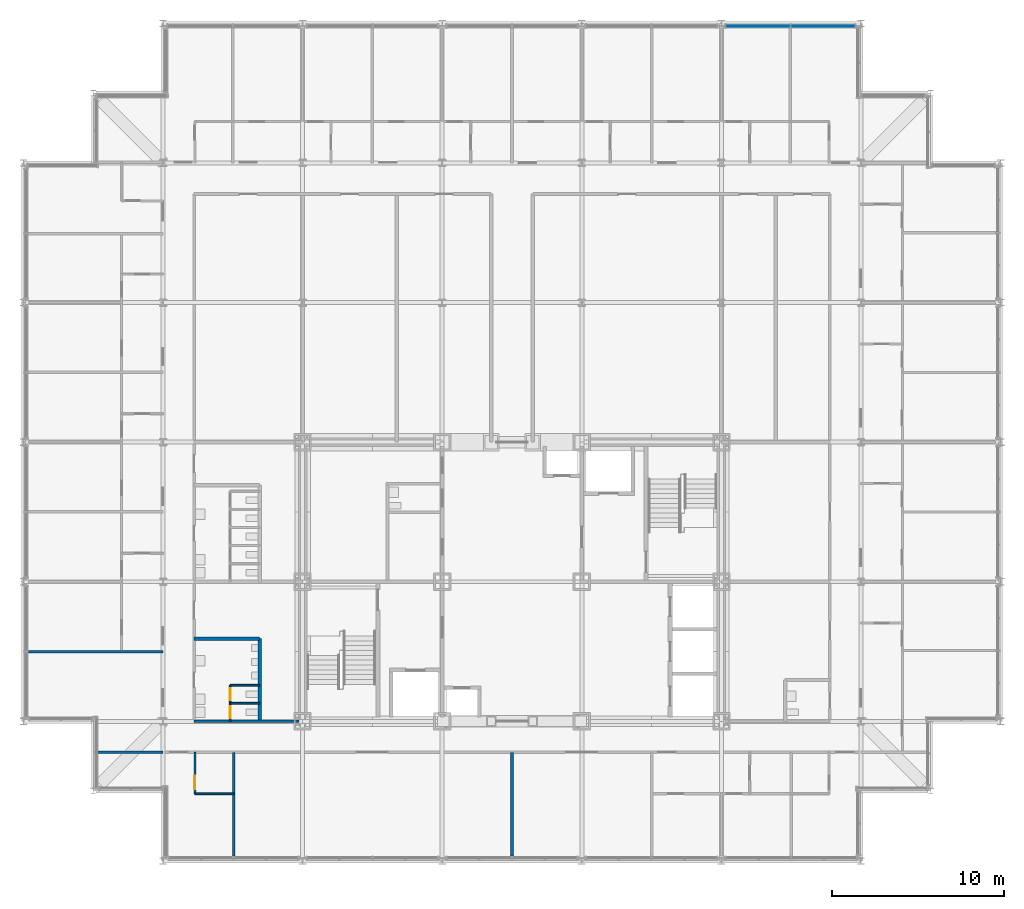
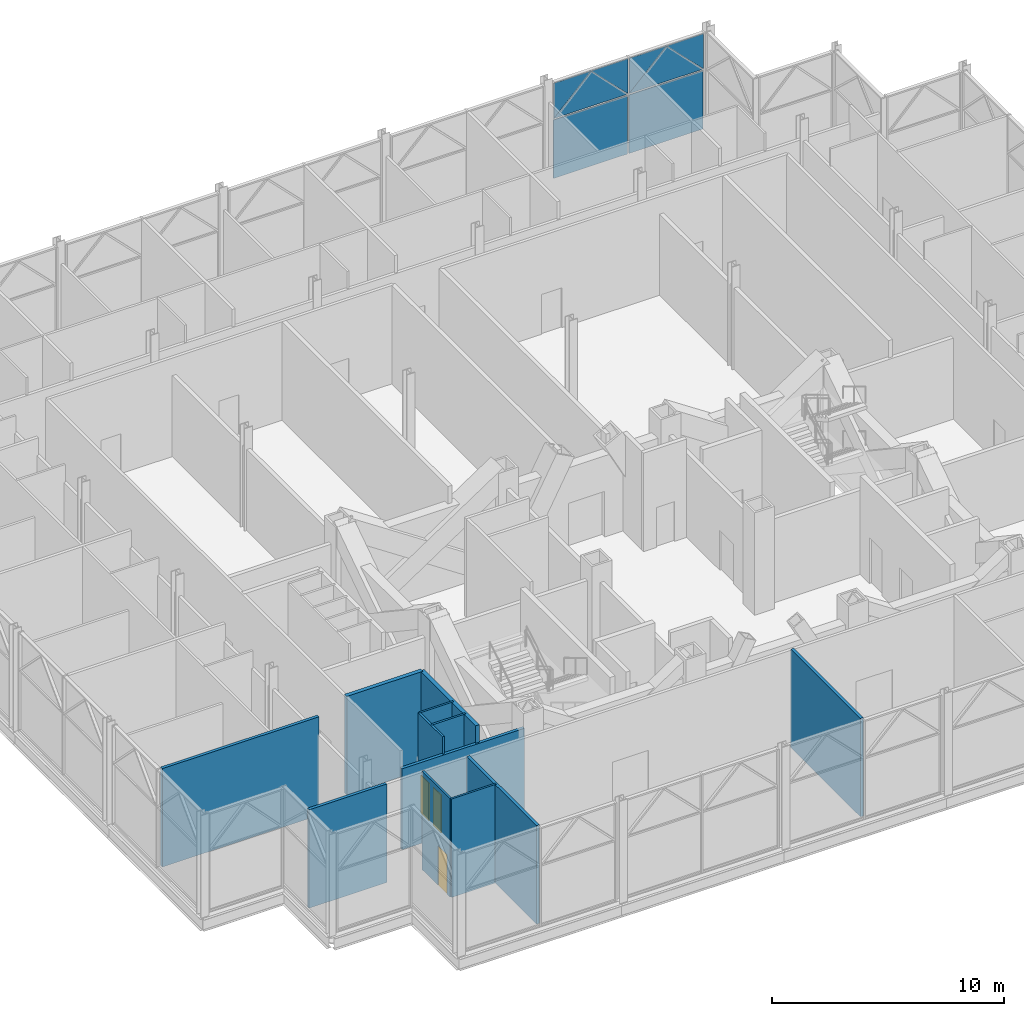
# One storey, part 18 of 26: 12 walls, 8 plates, 3 doors, 3 openings, 1 element without a shape of its own.
"""IFC4 building model written with IfcOpenShell, lengths in metres."""

import ifcopenshell
import ifcopenshell.guid

model = None  # the IFC model being written
_history = None  # IfcOwnerHistory: only IFC2X3 demands one
_inside = {}  # id of a spatial element -> (the spatial element, [elements in it])
_under = {}  # id of a project, library or spatial element -> (it, [spatial elements below it])
_declared = {}  # id of a project -> (the project, [libraries it declares])
_typed = {}  # id of a type object -> (the type object, [elements of that type])
_made_of = {}  # id of a material, layer set ... -> (it, [elements and type objects made of it])


def new_model(schema):
    """Start an empty IFC model of exactly this schema.

    Asked for "IFC4X3", IfcOpenShell would pick the latest addendum, in which some entities
    have other attributes; the version numbers below select the first issue.
    IFC2X3 requires an IfcOwnerHistory on every rooted entity: one is made here for all.
    """
    global model, _history
    if schema == "IFC4X3":
        model = ifcopenshell.file(schema_version=(4, 3, 0, 0))
    else:
        model = ifcopenshell.file(schema=schema)
    _inside.clear()
    _under.clear()
    _declared.clear()
    _typed.clear()
    _made_of.clear()
    _history = None
    if model.schema == "IFC2X3":
        org = make("IfcOrganization", Name="unknown")
        user = make(
            "IfcPersonAndOrganization",
            ThePerson=make("IfcPerson", FamilyName="unknown"),
            TheOrganization=org,
        )
        app = make(
            "IfcApplication",
            ApplicationDeveloper=org,
            Version="unknown",
            ApplicationFullName="unknown",
            ApplicationIdentifier="unknown",
        )
        _history = make(
            "IfcOwnerHistory",
            OwningUser=user,
            OwningApplication=app,
            ChangeAction="ADDED",
            CreationDate=0,
        )
    return model


def make(cls, **values):
    """One entity of the class cls with the attributes given. An attribute that is None is left unset."""
    return model.create_entity(
        cls, **{name: value for name, value in values.items() if value is not None}
    )


def rooted(cls, **values):
    """An entity with a GlobalId (a new one), such as an element, a storey or a relation."""
    return make(cls, GlobalId=ifcopenshell.guid.new(), OwnerHistory=_history, **values)


def si_unit(unit_type, name, prefix=None):
    """IfcSIUnit, for example si_unit("LENGTHUNIT", "METRE", prefix="MILLI")."""
    return make("IfcSIUnit", UnitType=unit_type, Prefix=prefix, Name=name)


def assignment(units):
    """IfcUnitAssignment: the units of a project."""
    return None if units is None else make("IfcUnitAssignment", Units=units)


def point(xyz):
    """IfcCartesianPoint."""
    return None if xyz is None else make("IfcCartesianPoint", Coordinates=xyz)


def direction(xyz):
    """IfcDirection."""
    return None if xyz is None else make("IfcDirection", DirectionRatios=xyz)


def frame(location, z_axis=None, x_axis=None):
    """IfcAxis2Placement3D, a coordinate frame: its origin and axes. An axis left out is left unset."""
    return make(
        "IfcAxis2Placement3D",
        Location=point(location),
        Axis=direction(z_axis),
        RefDirection=direction(x_axis),
    )


def frame_2d(location, x_axis=None):
    """IfcAxis2Placement2D, a coordinate frame in the plane: its origin and x axis."""
    return make(
        "IfcAxis2Placement2D", Location=point(location), RefDirection=direction(x_axis)
    )


def origin():
    """The frame at (0, 0, 0) with its axes left unset."""
    return frame((0.0, 0.0, 0.0))


def origin_2d():
    """The frame at (0, 0) in the plane with its x axis left unset."""
    return frame_2d((0.0, 0.0))


def place(relative_to, where):
    """IfcLocalPlacement: puts the frame where relative to a parent placement (None: the world)."""
    return make(
        "IfcLocalPlacement", PlacementRelTo=relative_to, RelativePlacement=where
    )


def context(
    kind, dimensions, precision=None, world=None, true_north=None, identifier=None
):
    """IfcGeometricRepresentationContext, for example the 3D "Model" context."""
    return make(
        "IfcGeometricRepresentationContext",
        ContextIdentifier=identifier,
        ContextType=kind,
        CoordinateSpaceDimension=dimensions,
        Precision=precision,
        WorldCoordinateSystem=world,
        TrueNorth=true_north,
    )


def subcontext(parent, identifier, kind, view, scale=None):
    """IfcGeometricRepresentationSubContext, for example "Body" below "Model"."""
    return make(
        "IfcGeometricRepresentationSubContext",
        ContextIdentifier=identifier,
        ContextType=kind,
        ParentContext=parent,
        TargetScale=scale,
        TargetView=view,
    )


def project(units=None, contexts=None):
    """IfcProject with its units and contexts."""
    return rooted(
        "IfcProject",
        Name="project",
        RepresentationContexts=contexts,
        UnitsInContext=assignment(units),
    )


def spatial(cls, under=None, at=None, **own):
    """A site, building, storey or space (cls), placed at a placement, below another one or the project."""
    s = rooted(cls, ObjectPlacement=at, **own)
    if under is not None:
        _under.setdefault(under.id(), (under, []))[1].append(s)
    return s


def polyline(points):
    """IfcPolyline through the points."""
    return make("IfcPolyline", Points=[point(p) for p in points])


def profile(cls, at=None, kind="AREA", **sizes):
    """A parametric profile (cls). Its sizes go by their IFC names, for example OverallWidth=200.0."""
    return make(cls, ProfileType=kind, Position=at, **sizes)


def rectangle(**sizes):
    """IfcRectangleProfileDef."""
    return profile("IfcRectangleProfileDef", **sizes)


def outline(outer, holes=None, kind="AREA"):
    """IfcArbitraryClosedProfileDef: a profile drawn as a closed curve; with holes, ...WithVoids."""
    if holes is None:
        return make("IfcArbitraryClosedProfileDef", ProfileType=kind, OuterCurve=outer)
    return make(
        "IfcArbitraryProfileDefWithVoids",
        ProfileType=kind,
        OuterCurve=outer,
        InnerCurves=holes,
    )


def extrude(swept, where, along, depth):
    """IfcExtrudedAreaSolid: the profile swept, set in the frame where, extruded along a direction by depth."""
    return make(
        "IfcExtrudedAreaSolid",
        SweptArea=swept,
        Position=where,
        ExtrudedDirection=direction(along),
        Depth=depth,
    )


def shape(context_of_items, identifier, shape_type, items):
    """IfcShapeRepresentation: the items that make up one representation, for example the "Body"."""
    return make(
        "IfcShapeRepresentation",
        ContextOfItems=context_of_items,
        RepresentationIdentifier=identifier,
        RepresentationType=shape_type,
        Items=items,
    )


def material(Name=None, Category=None):
    """IfcMaterial."""
    return make("IfcMaterial", Name=Name, Category=Category)


def layer(
    of_material, thickness, ventilated=None, Name=None, Category=None, Priority=None
):
    """IfcMaterialLayer: one layer of a wall or slab, of a material (None: an air gap)."""
    return make(
        "IfcMaterialLayer",
        Material=of_material,
        LayerThickness=thickness,
        IsVentilated=ventilated,
        Name=Name,
        Category=Category,
        Priority=Priority,
    )


def layer_set(layers, Name=None):
    """IfcMaterialLayerSet."""
    return make("IfcMaterialLayerSet", MaterialLayers=layers, LayerSetName=Name)


def made_of(thing, what):
    """Note that an element or type object is made of a material, layer set ...; save() writes the relation."""
    if what is not None:
        _made_of.setdefault(what.id(), (what, []))[1].append(thing)
    return thing


def type_object(cls, material=None, **own):
    """A type object (cls), such as IfcWallType, which elements share."""
    return made_of(rooted(cls, **own), material)


def element(
    cls,
    number,
    at=None,
    inside=None,
    cuts=None,
    type_object=None,
    material=None,
    context=None,
    identifier="Body",
    shape_type=None,
    held_by="IfcProductDefinitionShape",
    body=None,
    shapes=None,
    **own,
):
    """One element of the class cls, such as IfcWall. Its Tag is "e" and its number.

    at: its placement. inside: the storey or other place that contains it. cuts: it is an
    opening in that element (IfcRelVoidsElement). A single representation is given by context,
    identifier, shape_type and body (its items); several are given by shapes. held_by: the class
    of the entity that holds the representations. save() writes the other relations.
    """
    e = rooted(cls, Tag="e%d" % number, ObjectPlacement=at, **own)
    if body is not None:
        shapes = [shape(context, identifier, shape_type, body)]
    if shapes is not None:
        e.Representation = make(held_by, Representations=shapes)
    if inside is not None:
        _inside.setdefault(inside.id(), (inside, []))[1].append(e)
    if cuts is not None:
        rooted(
            "IfcRelVoidsElement", RelatingBuildingElement=cuts, RelatedOpeningElement=e
        )
    if type_object is not None:
        _typed.setdefault(type_object.id(), (type_object, []))[1].append(e)
    return made_of(e, material)


def fill(opening, filler):
    """IfcRelFillsElement: the door or window that sits in an opening."""
    return rooted(
        "IfcRelFillsElement",
        RelatingOpeningElement=opening,
        RelatedBuildingElement=filler,
    )


def aggregate(whole, parts):
    """IfcRelAggregates: a whole, such as a stair, and the parts it consists of."""
    return rooted("IfcRelAggregates", RelatingObject=whole, RelatedObjects=parts)


def save(model, path):
    """Write the relations noted so far, then the file.

    IfcRelAggregates (storeys below a building ...), IfcRelContainedInSpatialStructure (elements
    in a storey), IfcRelDefinesByType, IfcRelAssociatesMaterial and IfcRelDeclares: one each for
    every whole, place, type object, material and project.
    """
    for whole, parts in _under.values():
        aggregate(whole, parts)
    for where, things in _inside.values():
        rooted(
            "IfcRelContainedInSpatialStructure",
            RelatedElements=things,
            RelatingStructure=where,
        )
    for kind, things in _typed.values():
        rooted("IfcRelDefinesByType", RelatedObjects=things, RelatingType=kind)
    for what, things in _made_of.values():
        rooted("IfcRelAssociatesMaterial", RelatedObjects=things, RelatingMaterial=what)
    for by, libraries in _declared.values():
        rooted("IfcRelDeclares", RelatingContext=by, RelatedDefinitions=libraries)
    model.write(path)


model = new_model("IFC4")

# Units and contexts
model_context = context("Model", 3, precision=1e-05, world=origin(), true_north=direction((0.0, 1.0)))
body_context = subcontext(model_context, "Body", "Model", "MODEL_VIEW")
ifc_project = project(units=[si_unit("LENGTHUNIT", "METRE"), si_unit("AREAUNIT", "SQUARE_METRE"), si_unit("VOLUMEUNIT", "CUBIC_METRE"), si_unit("PLANEANGLEUNIT", "RADIAN"), si_unit("MASSUNIT", "GRAM", prefix="KILO")], contexts=[model_context])

# Site, building, storey
site_placement = place(None, origin())
site = spatial("IfcSite", under=ifc_project, at=site_placement, CompositionType="ELEMENT")
building_placement = place(site_placement, origin())
building = spatial("IfcBuilding", under=site, at=building_placement, Name="Kopane Lantern Tower", CompositionType="ELEMENT")
storey_placement = place(building_placement, frame((0.0, 0.0, 293.10009765625)))
storey = spatial("IfcBuildingStorey", under=building, at=storey_placement, Name="L75", CompositionType="ELEMENT", Elevation=293.10009765625)

# Curtain wall, plates
ifc_material_1 = material(Name="Aluminium and clear glass", Category="aluminium")
curtain_wall_type = type_object("IfcCurtainWallType", Name="CURTAIN WALL CW5 SKY RESTAURANT", PredefinedType="USERDEFINED", material=ifc_material_1)
curtain_wall_placement = place(storey_placement, origin())
curtain_wall = element("IfcCurtainWall", 1, at=curtain_wall_placement, inside=storey, type_object=curtain_wall_type, Name="Curtain wall CW5 N L75", ObjectType="CURTAIN WALL", PredefinedType="USERDEFINED")
ifc_material_2 = material(Name="Insulated clear glass unit", Category="glass")
ifc_layer_1 = layer(ifc_material_2, 0.035888671875)
ifc_layer_set_1 = layer_set([ifc_layer_1], Name="CURTAIN PANEL CW5-P 36")
plate_type = type_object("IfcPlateType", Name="CURTAIN PANEL CW5-P 36", PredefinedType="CURTAIN_PANEL", material=ifc_layer_set_1)
plate_1_placement = place(storey_placement, frame((46.38232421875, 64.64990234375, 0.0751953125), z_axis=(0.0, 0.0, 1.0), x_axis=(-1.0, 0.0, 0.0)))
plate_1 = element("IfcPlate", 2, at=plate_1_placement, type_object=plate_type, Name="CW5 panel 1.1", PredefinedType="CURTAIN_PANEL", context=body_context, shape_type="SweptSolid", body=[
    extrude(rectangle(XDim=3.685302734375, YDim=0.035888671875, at=origin_2d()), origin(), (0.0, 0.0, 1.0), 3.077392578125),
])
plate_2_placement = place(storey_placement, frame((42.6220703125, 64.64990234375, 0.0751953125), z_axis=(0.0, 0.0, 1.0), x_axis=(-1.0, 0.0, 0.0)))
plate_2 = element("IfcPlate", 3, at=plate_2_placement, type_object=plate_type, Name="CW5 panel 2.1", PredefinedType="CURTAIN_PANEL", context=body_context, shape_type="SweptSolid", body=[
    extrude(rectangle(XDim=3.685302734375, YDim=0.035888671875, at=origin_2d()), origin(), (0.0, 0.0, 1.0), 3.077392578125),
])
plate_3_placement = place(storey_placement, frame((48.22509765625, 64.64990234375, 3.227294921875), z_axis=(0.0, 0.0, 1.0), x_axis=(-1.0, 0.0, 0.0)))
plate_3 = element("IfcPlate", 4, at=plate_3_placement, type_object=plate_type, Name="CW5 lancet panel 1", PredefinedType="CURTAIN_PANEL", context=body_context, shape_type="SweptSolid", body=[
    extrude(outline(polyline([(0.0, 0.0), (3.685302734375, 0.0), (3.685302734375, 0.001220703125), (1.842529296875, 1.890380859375), (0.0, 0.001220703125), (0.0, 0.0)])), frame((0.0, 0.01806640625, 0.0), z_axis=(0.0, -1.0, 0.0), x_axis=(1.0, 0.0, 0.0)), (0.0, 0.0, 1.0), 0.035888671875),
])
plate_4_placement = place(storey_placement, frame((48.22509765625, 64.612060546875, 5.114990234375), z_axis=(0.0, 0.0, 1.0), x_axis=(-1.0, 0.0, 0.0)))
plate_4 = element("IfcPlate", 5, at=plate_4_placement, type_object=plate_type, Name="CW5 spandrel panel 1L", PredefinedType="CURTAIN_PANEL", context=body_context, shape_type="SweptSolid", body=[
    extrude(outline(polyline([(0.0, 0.0), (1.8427734375, 0.0), (1.842529296875, -0.0009765625), (0.0, -1.835205078125), (0.0, 0.0)])), frame((0.0, 0.01806640625, 0.0), z_axis=(0.0, -1.0, 0.0), x_axis=(1.0, 0.0, 0.0)), (0.0, 0.0, 1.0), 0.035888671875),
])
plate_5_placement = place(storey_placement, frame((44.539794921875, 64.612060546875, 5.114990234375), z_axis=(0.0, 0.0, 1.0), x_axis=(1.0, 0.0, 0.0)))
plate_5 = element("IfcPlate", 6, at=plate_5_placement, type_object=plate_type, Name="CW5 spandrel panel 1R", PredefinedType="CURTAIN_PANEL", context=body_context, shape_type="SweptSolid", body=[
    extrude(outline(polyline([(0.0, 0.0), (1.842529296875, 0.0), (1.842529296875, -0.0009765625), (0.0, -1.835205078125), (0.0, 0.0)])), frame((0.0, 0.01806640625, 0.0), z_axis=(0.0, -1.0, 0.0), x_axis=(1.0, 0.0, 0.0)), (0.0, 0.0, 1.0), 0.035888671875),
])
plate_6_placement = place(storey_placement, frame((44.46484375, 64.64990234375, 3.227294921875), z_axis=(0.0, 0.0, 1.0), x_axis=(-1.0, 0.0, 0.0)))
plate_6 = element("IfcPlate", 7, at=plate_6_placement, type_object=plate_type, Name="CW5 lancet panel 2", PredefinedType="CURTAIN_PANEL", context=body_context, shape_type="SweptSolid", body=[
    extrude(outline(polyline([(0.0, 0.0), (3.685302734375, 0.0), (3.685302734375, 0.001220703125), (1.842529296875, 1.890380859375), (0.0, 0.001220703125), (0.0, 0.0)])), frame((0.0, 0.01806640625, 0.0), z_axis=(0.0, -1.0, 0.0), x_axis=(1.0, 0.0, 0.0)), (0.0, 0.0, 1.0), 0.035888671875),
])
plate_7_placement = place(storey_placement, frame((44.46484375, 64.612060546875, 5.114990234375), z_axis=(0.0, 0.0, 1.0), x_axis=(-1.0, 0.0, 0.0)))
plate_7 = element("IfcPlate", 8, at=plate_7_placement, type_object=plate_type, Name="CW5 spandrel panel 2L", PredefinedType="CURTAIN_PANEL", context=body_context, shape_type="SweptSolid", body=[
    extrude(outline(polyline([(0.0, 0.0), (1.8427734375, 0.0), (1.842529296875, -0.0009765625), (0.0, -1.835205078125), (0.0, 0.0)])), frame((0.0, 0.01806640625, 0.0), z_axis=(0.0, -1.0, 0.0), x_axis=(1.0, 0.0, 0.0)), (0.0, 0.0, 1.0), 0.035888671875),
])
plate_8_placement = place(storey_placement, frame((40.779541015625, 64.612060546875, 5.114990234375), z_axis=(0.0, 0.0, 1.0), x_axis=(1.0, 0.0, 0.0)))
plate_8 = element("IfcPlate", 9, at=plate_8_placement, type_object=plate_type, Name="CW5 spandrel panel 2R", PredefinedType="CURTAIN_PANEL", context=body_context, shape_type="SweptSolid", body=[
    extrude(outline(polyline([(0.0, 0.0), (1.842529296875, 0.0), (1.842529296875, -0.0009765625), (0.0, -1.835205078125), (0.0, 0.0)])), frame((0.0, 0.01806640625, 0.0), z_axis=(0.0, -1.0, 0.0), x_axis=(1.0, 0.0, 0.0)), (0.0, 0.0, 1.0), 0.035888671875),
])
aggregate(curtain_wall, [plate_1, plate_2, plate_3, plate_4, plate_5, plate_6, plate_7, plate_8])

# Wall
ifc_material_3 = material(Name="Moisture-resistant board on steel studs", Category="steel")
ifc_layer_2 = layer(ifc_material_3, 0.10009765625)
ifc_layer_set_2 = layer_set([ifc_layer_2], Name="BATHROOM WALL 100")
wall_type_1 = type_object("IfcWallType", Name="BATHROOM WALL 100", PredefinedType="PARTITIONING", material=ifc_layer_set_2)
wall_1_placement = place(storey_placement, frame((9.949951171875, 20.10009765625, 0.0), z_axis=(0.0, 0.0, 1.0), x_axis=(1.0, 0.0, 0.0)))
element("IfcWall", 10, at=wall_1_placement, inside=storey, type_object=wall_type_1, Name="Bathroom Wall 100 L75", PredefinedType="PARTITIONING", context=body_context, shape_type="SweptSolid", body=[
    extrude(rectangle(XDim=2.247802734375, YDim=0.10009765625, at=frame_2d((1.1240234375, 0.0))), origin(), (0.0, 0.0, 1.0), 5.18994140625),
])

# Wall, opening, door
wall_2_placement = place(storey_placement, frame((9.949951171875, 22.5, 0.0), z_axis=(0.0, 0.0, 1.0), x_axis=(0.0, -1.0, 0.0)))
wall_2 = element("IfcWall", 11, at=wall_2_placement, inside=storey, type_object=wall_type_1, Name="Bathroom Wall 100 L75", PredefinedType="PARTITIONING", context=body_context, shape_type="SweptSolid", body=[
    extrude(rectangle(XDim=2.39990234375, YDim=0.10009765625, at=frame_2d((1.199951171875, 0.0))), origin(), (0.0, 0.0, 1.0), 5.18994140625),
])
opening_1_placement = place(wall_2_placement, frame((1.35009765625, 0.0, 0.0)))
opening_1 = element("IfcOpeningElement", 12, at=opening_1_placement, cuts=wall_2, Name="Opening L75-067", PredefinedType="OPENING", context=body_context, shape_type="SweptSolid", body=[
    extrude(rectangle(XDim=0.800048828125, YDim=2.10009765625, at=frame_2d((0.39990234375, 1.050048828125))), frame((0.0, 0.06005859375, 0.0), z_axis=(0.0, -1.0, 0.0), x_axis=(1.0, 0.0, 0.0)), (0.0, 0.0, 1.0), 0.1201171875),
])
ifc_material_4 = material(Name="Timber door set", Category="wood")
door_type_1 = type_object("IfcDoorType", Name="DOOR D2 800x2100", OperationType="SINGLE_SWING_LEFT", PredefinedType="DOOR", material=ifc_material_4)
door_1_placement = place(opening_1_placement, origin())
door_1 = element("IfcDoor", 13, at=door_1_placement, inside=storey, type_object=door_type_1, Name="Door L75-067", OperationType="SINGLE_SWING_RIGHT", OverallHeight=2.10009765625, OverallWidth=0.800048828125, PredefinedType="DOOR", context=body_context, shape_type="SweptSolid", body=[
    extrude(rectangle(XDim=0.800048828125, YDim=2.10009765625, at=frame_2d((0.39990234375, 1.050048828125))), frame((0.0, 0.02490234375, 0.0), z_axis=(0.0, -1.0, 0.0), x_axis=(1.0, 0.0, 0.0)), (0.0, 0.0, 1.0), 0.050048828125),
])
fill(opening_1, door_1)

# Wall, openings, doors
wall_3_placement = place(storey_placement, frame((12.0, 24.300048828125, 0.0), z_axis=(0.0, 0.0, 1.0), x_axis=(0.0, 1.0, 0.0)))
wall_3 = element("IfcWall", 14, at=wall_3_placement, inside=storey, type_object=wall_type_1, Name="Bathroom Wall 100 L75", PredefinedType="PARTITIONING", context=body_context, shape_type="SweptSolid", body=[
    extrude(rectangle(XDim=2.099853515625, YDim=0.10009765625, at=frame_2d((1.0498046875, 0.0))), origin(), (0.0, 0.0, 1.0), 5.18994140625),
])
opening_2_placement = place(wall_3_placement, frame((0.175048828125, 0.0, 0.0)))
opening_2 = element("IfcOpeningElement", 15, at=opening_2_placement, cuts=wall_3, Name="Opening L75-075", PredefinedType="OPENING", context=body_context, shape_type="SweptSolid", body=[
    extrude(rectangle(XDim=0.699951171875, YDim=2.0, at=frame_2d((0.35009765625, 1.0))), frame((0.0, 0.06005859375, 0.0), z_axis=(0.0, -1.0, 0.0), x_axis=(1.0, 0.0, 0.0)), (0.0, 0.0, 1.0), 0.1201171875),
])
opening_3_placement = place(wall_3_placement, frame((1.22509765625, 0.0, 0.0)))
opening_3 = element("IfcOpeningElement", 16, at=opening_3_placement, cuts=wall_3, Name="Opening L75-076", PredefinedType="OPENING", context=body_context, shape_type="SweptSolid", body=[
    extrude(rectangle(XDim=0.699951171875, YDim=2.0, at=frame_2d((0.35009765625, 1.0))), frame((0.0, 0.06005859375, 0.0), z_axis=(0.0, -1.0, 0.0), x_axis=(1.0, 0.0, 0.0)), (0.0, 0.0, 1.0), 0.1201171875),
])
ifc_material_5 = material(Name="Timber door set", Category="wood")
door_type_2 = type_object("IfcDoorType", Name="DOOR D13 700x2000 WC CUBICLE", OperationType="SINGLE_SWING_LEFT", PredefinedType="DOOR", material=ifc_material_5)
door_2_placement = place(opening_2_placement, origin())
door_2 = element("IfcDoor", 17, at=door_2_placement, inside=storey, type_object=door_type_2, Name="Door L75-075", OperationType="SINGLE_SWING_RIGHT", OverallHeight=2.0, OverallWidth=0.699951171875, PredefinedType="DOOR", context=body_context, shape_type="SweptSolid", body=[
    extrude(rectangle(XDim=0.699951171875, YDim=2.0, at=frame_2d((0.35009765625, 1.0))), frame((0.0, 0.02490234375, 0.0), z_axis=(0.0, -1.0, 0.0), x_axis=(1.0, 0.0, 0.0)), (0.0, 0.0, 1.0), 0.050048828125),
])
fill(opening_2, door_2)
door_3_placement = place(opening_3_placement, origin())
door_3 = element("IfcDoor", 18, at=door_3_placement, inside=storey, type_object=door_type_2, Name="Door L75-076", OperationType="SINGLE_SWING_RIGHT", OverallHeight=2.0, OverallWidth=0.699951171875, PredefinedType="DOOR", context=body_context, shape_type="SweptSolid", body=[
    extrude(rectangle(XDim=0.699951171875, YDim=2.0, at=frame_2d((0.35009765625, 1.0))), frame((0.0, 0.02490234375, 0.0), z_axis=(0.0, -1.0, 0.0), x_axis=(1.0, 0.0, 0.0)), (0.0, 0.0, 1.0), 0.050048828125),
])
fill(opening_3, door_3)

# Walls
for number, where, z_axis, x_axis, name in (
    (19, (12.0, 25.35009765625, 0.0), (0.0, 0.0, 1.0), (1.0, 0.0, 0.0), "Bathroom Wall 100 L75"),
    (20, (12.0, 26.39990234375, 0.0), (0.0, 0.0, 1.0), (1.0, 0.0, 0.0), "Bathroom Wall 100 L75"),
):
    element("IfcWall", number, at=place(storey_placement, frame(where, z_axis=z_axis, x_axis=x_axis)), inside=storey, type_object=wall_type_1, Name=name, PredefinedType="PARTITIONING", context=body_context, shape_type="SweptSolid", body=[
        extrude(rectangle(XDim=1.699951171875, YDim=0.10009765625, at=frame_2d((0.85009765625, 0.0))), origin(), (0.0, 0.0, 1.0), 5.18994140625),
    ])
ifc_material_6 = material(Name="Gypsum board on steel studs", Category="steel")
ifc_layer_3 = layer(ifc_material_6, 0.14990234375)
ifc_layer_set_3 = layer_set([ifc_layer_3], Name="CORRIDOR WALL 150 EI 60")
wall_type_2 = type_object("IfcWallType", Name="CORRIDOR WALL 150 EI 60", PredefinedType="PARTITIONING", material=ifc_layer_set_3)
wall_4_placement = place(storey_placement, frame((9.89990234375, 24.300048828125, 0.0), z_axis=(0.0, 0.0, 1.0), x_axis=(1.0, 0.0, 0.0)))
element("IfcWall", 21, at=wall_4_placement, inside=storey, type_object=wall_type_2, Name="Corridor Wall 150 Ei 60 L75", PredefinedType="PARTITIONING", context=body_context, shape_type="SweptSolid", body=[
    extrude(rectangle(XDim=6.10009765625, YDim=0.14990234375, at=frame_2d((3.050048828125, 0.0))), origin(), (0.0, 0.0, 1.0), 4.271484375),
])
ifc_material_7 = material(Name="Gypsum board on steel studs", Category="steel")
ifc_layer_4 = layer(ifc_material_7, 0.14990234375)
ifc_layer_set_4 = layer_set([ifc_layer_4], Name="DEMISING WALL 150 EI 60")
wall_type_3 = type_object("IfcWallType", Name="DEMISING WALL 150 EI 60", PredefinedType="PARTITIONING", material=ifc_layer_set_4)
wall_5_placement = place(storey_placement, frame((28.35009765625, 22.5, 0.0), z_axis=(0.0, 0.0, 1.0), x_axis=(0.0, -1.0, 0.0)))
element("IfcWall", 22, at=wall_5_placement, inside=storey, type_object=wall_type_3, Name="Demising Wall 150 Ei 60 L75", PredefinedType="PARTITIONING", context=body_context, shape_type="SweptSolid", body=[
    extrude(rectangle(XDim=6.02197265625, YDim=0.14990234375, at=frame_2d((3.010986328125, 0.0))), origin(), (0.0, 0.0, 1.0), 5.18994140625),
])
wall_6_placement = place(storey_placement, frame((8.10009765625, 28.35009765625, 0.0), z_axis=(0.0, 0.0, 1.0), x_axis=(-1.0, 0.0, 0.0)))
element("IfcWall", 23, at=wall_6_placement, inside=storey, type_object=wall_type_3, Name="Demising Wall 150 Ei 60 L75", PredefinedType="PARTITIONING", context=body_context, shape_type="SweptSolid", body=[
    extrude(rectangle(XDim=7.822021484375, YDim=0.14990234375, at=frame_2d((3.9111328125, 0.0))), origin(), (0.0, 0.0, 1.0), 5.18994140625),
])
wall_7_placement = place(storey_placement, frame((4.220947265625, 22.5, 0.0), z_axis=(0.0, 0.0, 1.0), x_axis=(1.0, 0.0, 0.0)))
element("IfcWall", 24, at=wall_7_placement, inside=storey, type_object=wall_type_3, Name="Demising Wall 150 Ei 60 L75", PredefinedType="PARTITIONING", context=body_context, shape_type="SweptSolid", body=[
    extrude(rectangle(XDim=3.879150390625, YDim=0.14990234375, at=frame_2d((1.939453125, 0.0))), origin(), (0.0, 0.0, 1.0), 5.18994140625),
])
wall_8_placement = place(storey_placement, frame((12.19775390625, 22.5, 0.0), z_axis=(0.0, 0.0, 1.0), x_axis=(0.0, -1.0, 0.0)))
element("IfcWall", 25, at=wall_8_placement, inside=storey, type_object=wall_type_3, Name="Demising Wall 150 Ei 60 L75", PredefinedType="PARTITIONING", context=body_context, shape_type="SweptSolid", body=[
    extrude(rectangle(XDim=6.02197265625, YDim=0.14990234375, at=frame_2d((3.010986328125, 0.0))), origin(), (0.0, 0.0, 1.0), 5.18994140625),
])
ifc_material_8 = material(Name="Concrete masonry", Category="masonry")
ifc_layer_5 = layer(ifc_material_8, 0.199951171875)
ifc_layer_set_5 = layer_set([ifc_layer_5], Name="PLANT ROOM WALL 200 EI 120")
wall_type_4 = type_object("IfcWallType", Name="PLANT ROOM WALL 200 EI 120", PredefinedType="SOLIDWALL", material=ifc_layer_set_5)
wall_9_placement = place(storey_placement, frame((9.89990234375, 29.10009765625, 0.0), z_axis=(0.0, 0.0, 1.0), x_axis=(1.0, 0.0, 0.0)))
element("IfcWall", 26, at=wall_9_placement, inside=storey, type_object=wall_type_4, Name="Plant Room Wall 200 Ei 120 L75", PredefinedType="SOLIDWALL", context=body_context, shape_type="SweptSolid", body=[
    extrude(rectangle(XDim=3.800048828125, YDim=0.199951171875, at=frame_2d((1.89990234375, 0.0))), origin(), (0.0, 0.0, 1.0), 5.18994140625),
])
wall_10_placement = place(storey_placement, frame((13.699951171875, 24.300048828125, 0.0), z_axis=(0.0, 0.0, 1.0), x_axis=(0.0, 1.0, 0.0)))
element("IfcWall", 27, at=wall_10_placement, inside=storey, type_object=wall_type_4, Name="Plant Room Wall 200 Ei 120 L75", PredefinedType="SOLIDWALL", context=body_context, shape_type="SweptSolid", body=[
    extrude(rectangle(XDim=4.800048828125, YDim=0.199951171875, at=frame_2d((2.39990234375, 0.0))), origin(), (0.0, 0.0, 1.0), 5.18994140625),
])

save(model, "model.ifc")
